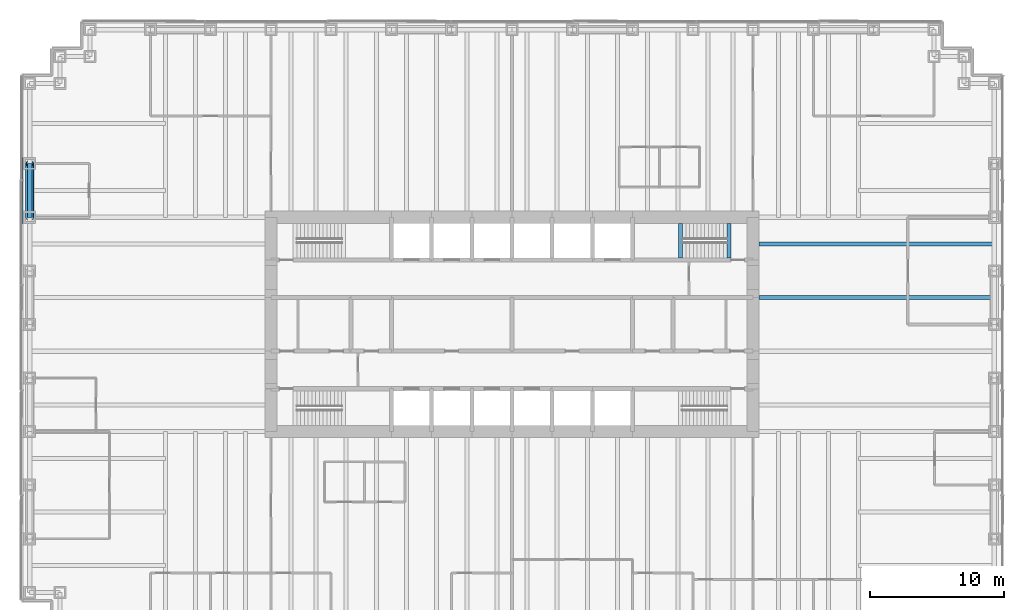
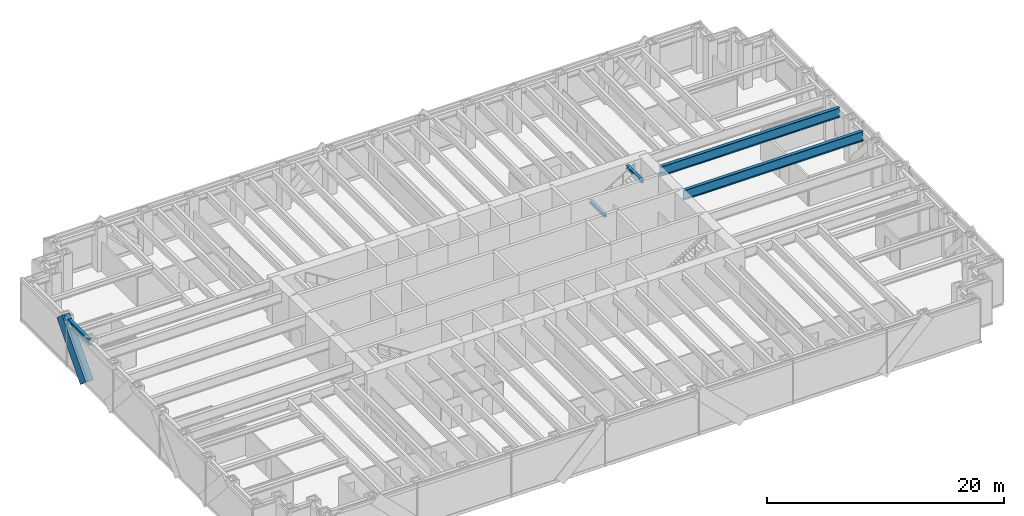
# One storey, part 4 of 13: 5 beams, 2 members, 1 element without a shape of its own.
"""IFC4 building model written with IfcOpenShell, lengths in metres."""

from ifc_helpers import new_model, si_unit, direction, frame, origin, origin_2d, place, context, subcontext, project, spatial, rectangle, hollow_circle, i_section, extrude, material, material_profile, profile_set, type_object, element, aggregate, save


model = new_model("IFC4")

# Units and contexts
model_context = context("Model", 3, precision=1e-05, world=origin(), true_north=direction((0.0, 1.0)))
body_context = subcontext(model_context, "Body", "Model", "MODEL_VIEW")
ifc_project = project(units=[si_unit("LENGTHUNIT", "METRE"), si_unit("AREAUNIT", "SQUARE_METRE"), si_unit("VOLUMEUNIT", "CUBIC_METRE"), si_unit("PLANEANGLEUNIT", "RADIAN"), si_unit("MASSUNIT", "GRAM", prefix="KILO")], contexts=[model_context])

# Site, building, storey
site_placement = place(None, origin())
site = spatial("IfcSite", under=ifc_project, at=site_placement, CompositionType="ELEMENT")
building_placement = place(site_placement, origin())
building = spatial("IfcBuilding", under=site, at=building_placement, Name="Rheinbord Bourse Tower", CompositionType="ELEMENT")
storey_placement = place(building_placement, frame((0.0, 0.0, 54.5)))
storey = spatial("IfcBuildingStorey", under=building, at=storey_placement, Name="L11", CompositionType="ELEMENT", Elevation=54.5)

# Curtain wall, member
ifc_material_1 = material(Name="Dark glass and black aluminium", Category="aluminium")
curtain_wall_type = type_object("IfcCurtainWallType", Name="CW1 DARK GLASS CURTAIN WALL", PredefinedType="USERDEFINED", material=ifc_material_1)
curtain_wall_placement = place(storey_placement, origin())
curtain_wall = element("IfcCurtainWall", 1, at=curtain_wall_placement, inside=storey, type_object=curtain_wall_type, Name="Curtain wall CW1 W L11", ObjectType="UNITISED CURTAIN WALL", PredefinedType="USERDEFINED")
ifc_material_2 = material(Name="Black anodised aluminium", Category="aluminium")
ifc_material_profile_1 = material_profile(ifc_material_2, rectangle(XDim=0.179931640625, YDim=1.2099609375, at=origin_2d()), Name="CW1 DIAGONAL MULLION 1210x180")
ifc_profile_set_1 = profile_set([ifc_material_profile_1], Name="Black anodised aluminium")
member_type_1 = type_object("IfcMemberType", Name="CW1 BLACK DIAGONAL MULLION", PredefinedType="USERDEFINED", material=ifc_profile_set_1)
member_1_placement = place(storey_placement, frame((-0.60009765625, 32.0, 0.0), z_axis=(0.0, 0.66436383883, 0.747409318684), x_axis=(-1.0, 0.0, 0.0)))
member_1 = element("IfcMember", 2, at=member_1_placement, type_object=member_type_1, Name="CW1 diagonal mullion d", ObjectType="DIAGONAL MULLION", PredefinedType="USERDEFINED", context=body_context, shape_type="SweptSolid", body=[
    extrude(rectangle(XDim=0.179931640625, YDim=1.2099609375, at=origin_2d()), origin(), (0.0, 0.0, 1.0), 6.020751953125),
])
aggregate(curtain_wall, [member_1])

# Beams
ifc_material_3 = material(Name="Steel S460", Category="steel")
ifc_material_profile_2 = material_profile(ifc_material_3, i_section(OverallWidth=0.302001953125, OverallDepth=1.008056640625, WebThickness=0.02099609375, FlangeThickness=0.0400390625, at=origin_2d()), Name="HEM 1000")
ifc_profile_set_2 = profile_set([ifc_material_profile_2], Name="Steel S460")
beam_type_1 = type_object("IfcBeamType", Name="END BEAM HEM 1000", PredefinedType="BEAM", material=ifc_profile_set_2)
for number, where, z_axis, x_axis, name in (
    (3, (54.449951171875, 26.0, 3.81591796875), (1.0, 0.0, 0.0), (0.0, 1.0, 0.0), "End beam east 26 L12"),
    (4, (54.449951171875, 30.0, 3.81591796875), (1.0, 0.0, 0.0), (0.0, 1.0, 0.0), "End beam east 30 L12"),
):
    element("IfcBeam", number, at=place(storey_placement, frame(where, z_axis=z_axis, x_axis=x_axis)), inside=storey, type_object=beam_type_1, Name=name, PredefinedType="BEAM", context=body_context, shape_type="SweptSolid", body=[
        extrude(i_section(OverallWidth=0.302001953125, OverallDepth=1.008056640625, WebThickness=0.02099609375, FlangeThickness=0.0400390625, at=origin_2d()), origin(), (0.0, 0.0, 1.0), 17.550048828125),
    ])
ifc_material_4 = material(Name="Steel S460", Category="steel")
ifc_material_profile_3 = material_profile(ifc_material_4, i_section(OverallWidth=0.300048828125, OverallDepth=0.300048828125, WebThickness=0.010986328125, FlangeThickness=0.01904296875, at=origin_2d()), Name="HEB 300")
ifc_profile_set_3 = profile_set([ifc_material_profile_3], Name="Steel S460")
beam_type_2 = type_object("IfcBeamType", Name="LANDING TRIMMER HEB 300", PredefinedType="BEAM", material=ifc_profile_set_3)
for number, where, z_axis, x_axis, name in (
    (5, (48.590087890625, 28.949951171875, 1.89990234375), (0.0, 1.0, 0.0), (-1.0, 0.0, 0.0), "Landing trimmer ST4 L11"),
    (6, (52.199951171875, 28.949951171875, 4.169921875), (0.0, 1.0, 0.0), (-1.0, 0.0, 0.0), "Well trimmer ST4 under L12"),
):
    element("IfcBeam", number, at=place(storey_placement, frame(where, z_axis=z_axis, x_axis=x_axis)), inside=storey, type_object=beam_type_2, Name=name, PredefinedType="BEAM", context=body_context, shape_type="SweptSolid", body=[
        extrude(i_section(OverallWidth=0.300048828125, OverallDepth=0.300048828125, WebThickness=0.010986328125, FlangeThickness=0.01904296875, at=origin_2d()), origin(), (0.0, 0.0, 1.0), 2.60009765625),
    ])

# Member
ifc_material_5 = material(Name="Steel S460", Category="steel")
ifc_material_profile_4 = material_profile(ifc_material_5, hollow_circle(Radius=0.304931640625, WallThickness=0.050048828125, at=origin_2d()), Name="CHS 610x50")
ifc_profile_set_4 = profile_set([ifc_material_profile_4], Name="Steel S460")
member_type_2 = type_object("IfcMemberType", Name="MEGABRACE CHS 610x50", PredefinedType="BRACE", material=ifc_profile_set_4)
member_2_placement = place(storey_placement, frame((0.0, 32.0, 0.0), z_axis=(0.0, 0.66436383883, 0.747409318684), x_axis=(-1.0, 0.0, 0.0)))
element("IfcMember", 7, at=member_2_placement, inside=storey, type_object=member_type_2, Name="Megabrace W face line d L11", PredefinedType="BRACE", context=body_context, shape_type="SweptSolid", body=[
    extrude(hollow_circle(Radius=0.304931640625, WallThickness=0.050048828125, at=origin_2d()), origin(), (0.0, 0.0, 1.0), 6.020751953125),
])

# Beam
ifc_material_6 = material(Name="Steel S460", Category="steel")
ifc_material_profile_5 = material_profile(ifc_material_6, i_section(OverallWidth=0.304931640625, OverallDepth=0.6201171875, WebThickness=0.02099609375, FlangeThickness=0.0400390625, at=origin_2d()), Name="HEM 600")
ifc_profile_set_5 = profile_set([ifc_material_profile_5], Name="Steel S460")
beam_type_3 = type_object("IfcBeamType", Name="SPANDREL HEM 600", PredefinedType="SPANDREL", material=ifc_profile_set_5)
beam_placement = place(storey_placement, frame((0.0, 36.0, 4.010009765625), z_axis=(0.0, -1.0, 0.0), x_axis=(1.0, 0.0, 0.0)))
element("IfcBeam", 8, at=beam_placement, inside=storey, type_object=beam_type_3, Name="Spandrel W-36-W-32 under L12", PredefinedType="SPANDREL", context=body_context, shape_type="SweptSolid", body=[
    extrude(i_section(OverallWidth=0.304931640625, OverallDepth=0.6201171875, WebThickness=0.02099609375, FlangeThickness=0.0400390625, at=origin_2d()), origin(), (0.0, 0.0, 1.0), 4.0),
])

save(model, "model.ifc")
